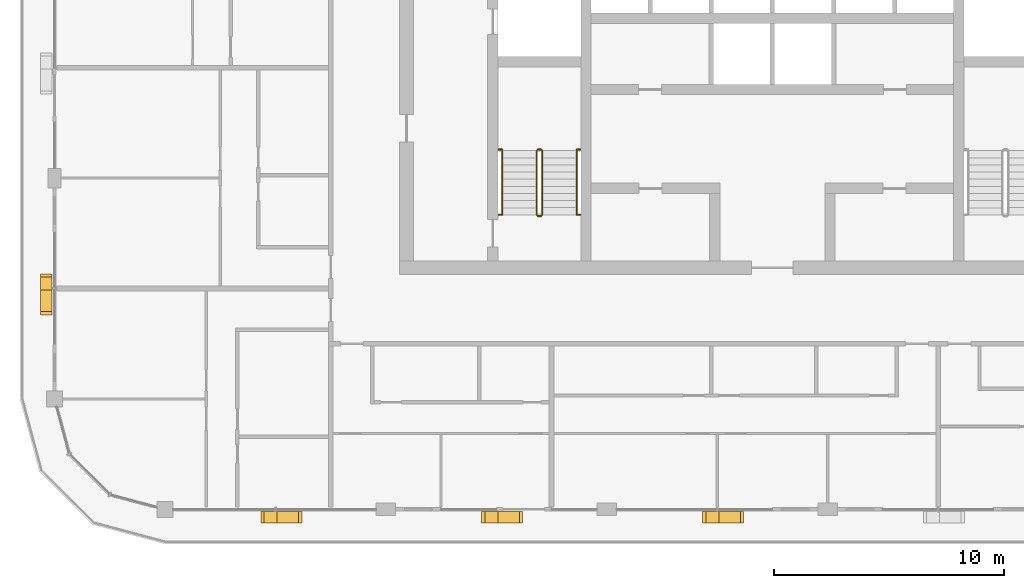
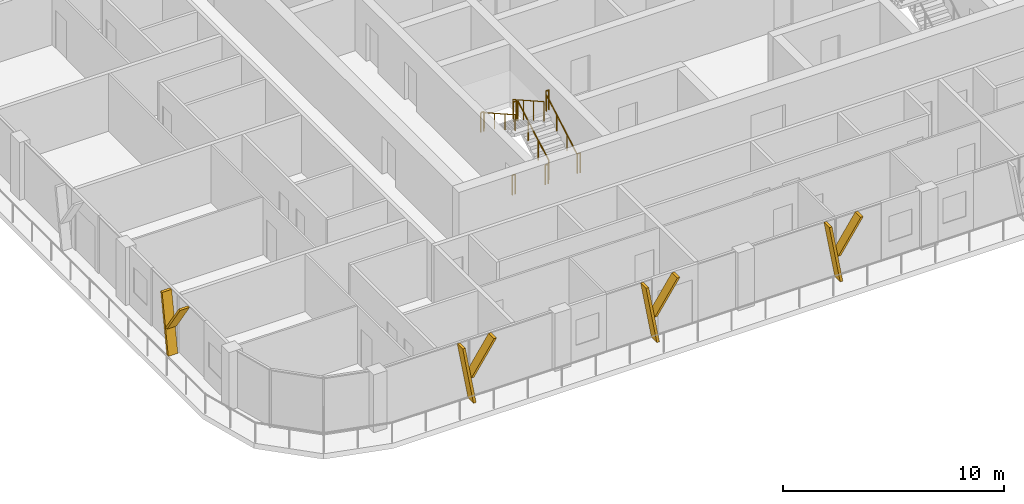
# One storey, part 16 of 21: 10 railings, 8 shading devices.
"""IFC4 building model written with IfcOpenShell, lengths in metres."""

from ifc_helpers import new_model, si_unit, direction, frame, origin, origin_2d, place, context, subcontext, project, spatial, polyline, circle, outline, extrude, material, type_object, element, save


model = new_model("IFC4")

# Units and contexts
model_context = context("Model", 3, precision=1e-05, world=origin(), true_north=direction((0.0, 1.0)))
body_context = subcontext(model_context, "Body", "Model", "MODEL_VIEW")
ifc_project = project(units=[si_unit("LENGTHUNIT", "METRE"), si_unit("AREAUNIT", "SQUARE_METRE"), si_unit("VOLUMEUNIT", "CUBIC_METRE"), si_unit("PLANEANGLEUNIT", "RADIAN"), si_unit("MASSUNIT", "GRAM", prefix="KILO")], contexts=[model_context])

# Site, building, storey
site_placement = place(None, origin())
site = spatial("IfcSite", under=ifc_project, at=site_placement, CompositionType="ELEMENT")
building_placement = place(site_placement, origin())
building = spatial("IfcBuilding", under=site, at=building_placement, Name="Madar Terraces", CompositionType="ELEMENT")
storey_placement = place(building_placement, frame((0.0, 0.0, 252.699951171875)))
storey = spatial("IfcBuildingStorey", under=building, at=storey_placement, Name="L66", CompositionType="ELEMENT", Elevation=252.699951171875)

# Shading devices
ifc_material_1 = material(Name="Aluminium, black anodised", Category="aluminium")
shading_device_type = type_object("IfcShadingDeviceType", Name="Facade fin blade 140 x 500", PredefinedType="USERDEFINED", material=ifc_material_1)
shading_device_1_placement = place(storey_placement, frame((9.530029296875, 4.449951171875, 0.0), z_axis=(0.0, 0.0, 1.0), x_axis=(1.0, 0.0, 0.0)))
element("IfcShadingDevice", 1, at=shading_device_1_placement, inside=storey, type_object=shading_device_type, Name="FIN L66 S1", ObjectType="FIN", PredefinedType="USERDEFINED", context=body_context, shape_type="SweptSolid", body=[
    extrude(outline(polyline([(0.0, 0.0), (0.139892578125, 0.0), (-0.42431640625, 3.199951171875), (-0.564208984375, 3.199951171875), (0.0, 0.0)])), frame((0.0, 0.25, 0.0), z_axis=(0.0, -1.0, 0.0), x_axis=(1.0, 0.0, 0.0)), (0.0, 0.0, 1.0), 0.5),
])
shading_device_2_placement = place(storey_placement, frame((9.416015625, 4.449951171875, 1.43994140625), z_axis=(0.0, 0.0, 1.0), x_axis=(1.0, 0.0, 0.0)))
element("IfcShadingDevice", 2, at=shading_device_2_placement, inside=storey, type_object=shading_device_type, Name="FIN L66 S1 branch", ObjectType="FIN", PredefinedType="USERDEFINED", context=body_context, shape_type="SweptSolid", body=[
    extrude(outline(polyline([(0.0, 0.0), (0.14013671875, 0.0), (1.32958984375, 1.760009765625), (1.189697265625, 1.760009765625), (0.0, 0.0)])), frame((0.0, 0.25, 0.0), z_axis=(0.0, -1.0, 0.0), x_axis=(1.0, 0.0, 0.0)), (0.0, 0.0, 1.0), 0.5),
])
shading_device_3_placement = place(storey_placement, frame((19.1298828125, 4.449951171875, 0.0), z_axis=(0.0, 0.0, 1.0), x_axis=(1.0, 0.0, 0.0)))
element("IfcShadingDevice", 3, at=shading_device_3_placement, inside=storey, type_object=shading_device_type, Name="FIN L66 S2", ObjectType="FIN", PredefinedType="USERDEFINED", context=body_context, shape_type="SweptSolid", body=[
    extrude(outline(polyline([(0.0, 0.0), (0.14013671875, 0.0), (-0.42431640625, 3.199951171875), (-0.564208984375, 3.199951171875), (0.0, 0.0)])), frame((0.0, 0.25, 0.0), z_axis=(0.0, -1.0, 0.0), x_axis=(1.0, 0.0, 0.0)), (0.0, 0.0, 1.0), 0.5),
])
shading_device_4_placement = place(storey_placement, frame((19.01611328125, 4.449951171875, 1.43994140625), z_axis=(0.0, 0.0, 1.0), x_axis=(1.0, 0.0, 0.0)))
element("IfcShadingDevice", 4, at=shading_device_4_placement, inside=storey, type_object=shading_device_type, Name="FIN L66 S2 branch", ObjectType="FIN", PredefinedType="USERDEFINED", context=body_context, shape_type="SweptSolid", body=[
    extrude(outline(polyline([(0.0, 0.0), (0.139892578125, 0.0), (1.32958984375, 1.760009765625), (1.189697265625, 1.760009765625), (0.0, 0.0)])), frame((0.0, 0.25, 0.0), z_axis=(0.0, -1.0, 0.0), x_axis=(1.0, 0.0, 0.0)), (0.0, 0.0, 1.0), 0.5),
])
shading_device_5_placement = place(storey_placement, frame((28.72998046875, 4.449951171875, 0.0), z_axis=(0.0, 0.0, 1.0), x_axis=(1.0, 0.0, 0.0)))
element("IfcShadingDevice", 5, at=shading_device_5_placement, inside=storey, type_object=shading_device_type, Name="FIN L66 S3", ObjectType="FIN", PredefinedType="USERDEFINED", context=body_context, shape_type="SweptSolid", body=[
    extrude(outline(polyline([(0.0, 0.0), (0.14013671875, 0.0), (-0.42431640625, 3.199951171875), (-0.564208984375, 3.199951171875), (0.0, 0.0)])), frame((0.0, 0.25, 0.0), z_axis=(0.0, -1.0, 0.0), x_axis=(1.0, 0.0, 0.0)), (0.0, 0.0, 1.0), 0.5),
])
shading_device_6_placement = place(storey_placement, frame((28.6162109375, 4.449951171875, 1.43994140625), z_axis=(0.0, 0.0, 1.0), x_axis=(1.0, 0.0, 0.0)))
element("IfcShadingDevice", 6, at=shading_device_6_placement, inside=storey, type_object=shading_device_type, Name="FIN L66 S3 branch", ObjectType="FIN", PredefinedType="USERDEFINED", context=body_context, shape_type="SweptSolid", body=[
    extrude(outline(polyline([(0.0, 0.0), (0.139892578125, 0.0), (1.32958984375, 1.760009765625), (1.189697265625, 1.760009765625), (0.0, 0.0)])), frame((0.0, 0.25, 0.0), z_axis=(0.0, -1.0, 0.0), x_axis=(1.0, 0.0, 0.0)), (0.0, 0.0, 1.0), 0.5),
])
shading_device_7_placement = place(storey_placement, frame((-0.35009765625, 14.469970703125, 0.0), z_axis=(0.0, 0.0, 1.0), x_axis=(0.0, -1.0, 0.0)))
element("IfcShadingDevice", 7, at=shading_device_7_placement, inside=storey, type_object=shading_device_type, Name="FIN L66 W4", ObjectType="FIN", PredefinedType="USERDEFINED", context=body_context, shape_type="SweptSolid", body=[
    extrude(outline(polyline([(0.0, 0.0), (0.139892578125, 0.0), (-0.42431640625, 3.199951171875), (-0.564208984375, 3.199951171875), (0.0, 0.0)])), frame((0.0, 0.25, 0.0), z_axis=(0.0, -1.0, 0.0), x_axis=(1.0, 0.0, 0.0)), (0.0, 0.0, 1.0), 0.5),
])
shading_device_8_placement = place(storey_placement, frame((-0.35009765625, 14.583984375, 1.43994140625), z_axis=(0.0, 0.0, 1.0), x_axis=(0.0, -1.0, 0.0)))
element("IfcShadingDevice", 8, at=shading_device_8_placement, inside=storey, type_object=shading_device_type, Name="FIN L66 W4 branch", ObjectType="FIN", PredefinedType="USERDEFINED", context=body_context, shape_type="SweptSolid", body=[
    extrude(outline(polyline([(0.0, 0.0), (0.14013671875, 0.0), (1.32958984375, 1.760009765625), (1.189697265625, 1.760009765625), (0.0, 0.0)])), frame((0.0, 0.25, 0.0), z_axis=(0.0, -1.0, 0.0), x_axis=(1.0, 0.0, 0.0)), (0.0, 0.0, 1.0), 0.5),
])

# Railings
ifc_material_2 = material(Name="Stainless steel railing", Category="steel")
railing_type_1 = type_object("IfcRailingType", Name="Stair guard 1100", PredefinedType="GUARDRAIL", material=ifc_material_2)
railing_1_placement = place(storey_placement, frame((21.199951171875, 17.60009765625, 0.175048828125)))
element("IfcRailing", 9, at=railing_1_placement, inside=storey, type_object=railing_type_1, Name="L66 ST1 stair guard 1", PredefinedType="GUARDRAIL", context=body_context, shape_type="SweptSolid", body=[
    extrude(circle(Radius=0.02392578125, at=origin_2d()), frame((0.0, 0.0, 1.076171875), z_axis=(0.0, 0.870815363784, 0.491610213684), x_axis=(-1.0, 0.0, 0.0)), (0.0, 0.0, 1.0), 3.20361328125),
    extrude(circle(Radius=0.02099609375, at=origin_2d()), origin(), (0.0, 0.0, 1.0), 1.052001953125),
    extrude(circle(Radius=0.02099609375, at=origin_2d()), frame((0.0, 0.929931640625, 0.52490234375)), (0.0, 0.0, 1.0), 1.052001953125),
    extrude(circle(Radius=0.02099609375, at=origin_2d()), frame((0.0, 1.85986328125, 1.050048828125)), (0.0, 0.0, 1.0), 1.052001953125),
    extrude(circle(Radius=0.02099609375, at=origin_2d()), frame((0.0, 2.789794921875, 1.574951171875)), (0.0, 0.0, 1.0), 1.052001953125),
])
railing_2_placement = place(storey_placement, frame((21.14990234375, 20.43994140625, 1.75)))
element("IfcRailing", 10, at=railing_2_placement, inside=storey, type_object=railing_type_1, Name="L66 ST1 stair guard 2", PredefinedType="GUARDRAIL", context=body_context, shape_type="SweptSolid", body=[
    extrude(circle(Radius=0.02392578125, at=origin_2d()), frame((0.0, 0.0, 1.076171875), z_axis=(-1.0, 0.0, 0.0), x_axis=(0.0, -1.0, 0.0)), (0.0, 0.0, 1.0), 0.14990234375),
    extrude(circle(Radius=0.02099609375, at=origin_2d()), origin(), (0.0, 0.0, 1.0), 1.052001953125),
    extrude(circle(Radius=0.02099609375, at=origin_2d()), frame((-0.14990234375, 0.0, 0.0)), (0.0, 0.0, 1.0), 1.052001953125),
])
railing_3_placement = place(storey_placement, frame((20.949951171875, 20.389892578125, 1.925048828125)))
element("IfcRailing", 11, at=railing_3_placement, inside=storey, type_object=railing_type_1, Name="L66 ST1 stair guard 3", PredefinedType="GUARDRAIL", context=body_context, shape_type="SweptSolid", body=[
    extrude(circle(Radius=0.02392578125, at=origin_2d()), frame((0.0, 0.0, 1.076171875), z_axis=(0.0, -0.870815363784, 0.491610213684), x_axis=(1.0, 0.0, 0.0)), (0.0, 0.0, 1.0), 3.20361328125),
    extrude(circle(Radius=0.02099609375, at=origin_2d()), origin(), (0.0, 0.0, 1.0), 1.052001953125),
    extrude(circle(Radius=0.02099609375, at=origin_2d()), frame((0.0, -0.929931640625, 0.52490234375)), (0.0, 0.0, 1.0), 1.052001953125),
    extrude(circle(Radius=0.02099609375, at=origin_2d()), frame((0.0, -1.85986328125, 1.050048828125)), (0.0, 0.0, 1.0), 1.052001953125),
    extrude(circle(Radius=0.02099609375, at=origin_2d()), frame((0.0, -2.789794921875, 1.574951171875)), (0.0, 0.0, 1.0), 1.052001953125),
])
railing_4_placement = place(storey_placement, frame((21.14990234375, 17.550048828125, 0.0)))
element("IfcRailing", 12, at=railing_4_placement, inside=storey, type_object=railing_type_1, Name="L66 ST1 stair guard 4", PredefinedType="GUARDRAIL", context=body_context, shape_type="SweptSolid", body=[
    extrude(circle(Radius=0.02392578125, at=origin_2d()), frame((0.0, 0.0, 1.076171875), z_axis=(-1.0, 0.0, 0.0), x_axis=(0.0, -1.0, 0.0)), (0.0, 0.0, 1.0), 0.14990234375),
    extrude(circle(Radius=0.02099609375, at=origin_2d()), origin(), (0.0, 0.0, 1.0), 1.052001953125),
    extrude(circle(Radius=0.02099609375, at=origin_2d()), frame((-0.14990234375, 0.0, 0.0)), (0.0, 0.0, 1.0), 1.052001953125),
])
for number, where, name in (
    (13, (19.294921875, 20.43994140625, 1.75), "L66 stair guard seat 1"),
    (14, (22.699951171875, 20.43994140625, 1.75), "L66 stair guard seat 2"),
    (15, (19.294921875, 17.60009765625, 0.0), "L66 stair guard floor 1"),
    (16, (22.699951171875, 17.60009765625, 0.0), "L66 stair guard floor 2"),
):
    element("IfcRailing", number, at=place(storey_placement, frame(where)), inside=storey, type_object=railing_type_1, Name=name, PredefinedType="GUARDRAIL", context=body_context, shape_type="SweptSolid", body=[
        extrude(circle(Radius=0.02392578125, at=origin_2d()), frame((0.0, 0.0, 1.076171875), z_axis=(1.0, 0.0, 0.0), x_axis=(0.0, 1.0, 0.0)), (0.0, 0.0, 1.0), 0.155029296875),
        extrude(circle(Radius=0.02099609375, at=origin_2d()), origin(), (0.0, 0.0, 1.0), 1.052001953125),
        extrude(circle(Radius=0.02099609375, at=origin_2d()), frame((0.155029296875, 0.0, 0.0)), (0.0, 0.0, 1.0), 1.052001953125),
    ])
ifc_material_3 = material(Name="Stainless steel railing", Category="steel")
railing_type_2 = type_object("IfcRailingType", Name="Stair handrail 900", PredefinedType="HANDRAIL", material=ifc_material_3)
railing_5_placement = place(storey_placement, frame((22.699951171875, 17.60009765625, 0.175048828125)))
element("IfcRailing", 17, at=railing_5_placement, inside=storey, type_object=railing_type_2, Name="L66 ST1 stair handrail 1", PredefinedType="HANDRAIL", context=body_context, shape_type="SweptSolid", body=[
    extrude(circle(Radius=0.02392578125, at=origin_2d()), frame((0.0, 0.0, 0.8759765625), z_axis=(0.0, 0.870815363784, 0.491610213684), x_axis=(-1.0, 0.0, 0.0)), (0.0, 0.0, 1.0), 3.20361328125),
    extrude(circle(Radius=0.02099609375, at=origin_2d()), origin(), (0.0, 0.0, 1.0), 0.851806640625),
    extrude(circle(Radius=0.02099609375, at=origin_2d()), frame((0.0, 0.929931640625, 0.52490234375)), (0.0, 0.0, 1.0), 0.851806640625),
    extrude(circle(Radius=0.02099609375, at=origin_2d()), frame((0.0, 1.85986328125, 1.050048828125)), (0.0, 0.0, 1.0), 0.851806640625),
    extrude(circle(Radius=0.02099609375, at=origin_2d()), frame((0.0, 2.789794921875, 1.574951171875)), (0.0, 0.0, 1.0), 0.851806640625),
])
railing_6_placement = place(storey_placement, frame((19.449951171875, 20.389892578125, 1.925048828125)))
element("IfcRailing", 18, at=railing_6_placement, inside=storey, type_object=railing_type_2, Name="L66 ST1 stair handrail 2", PredefinedType="HANDRAIL", context=body_context, shape_type="SweptSolid", body=[
    extrude(circle(Radius=0.02392578125, at=origin_2d()), frame((0.0, 0.0, 0.8759765625), z_axis=(0.0, -0.870815363784, 0.491610213684), x_axis=(1.0, 0.0, 0.0)), (0.0, 0.0, 1.0), 3.20361328125),
    extrude(circle(Radius=0.02099609375, at=origin_2d()), origin(), (0.0, 0.0, 1.0), 0.851806640625),
    extrude(circle(Radius=0.02099609375, at=origin_2d()), frame((0.0, -0.929931640625, 0.52490234375)), (0.0, 0.0, 1.0), 0.851806640625),
    extrude(circle(Radius=0.02099609375, at=origin_2d()), frame((0.0, -1.85986328125, 1.050048828125)), (0.0, 0.0, 1.0), 0.851806640625),
    extrude(circle(Radius=0.02099609375, at=origin_2d()), frame((0.0, -2.789794921875, 1.574951171875)), (0.0, 0.0, 1.0), 0.851806640625),
])

save(model, "model.ifc")
